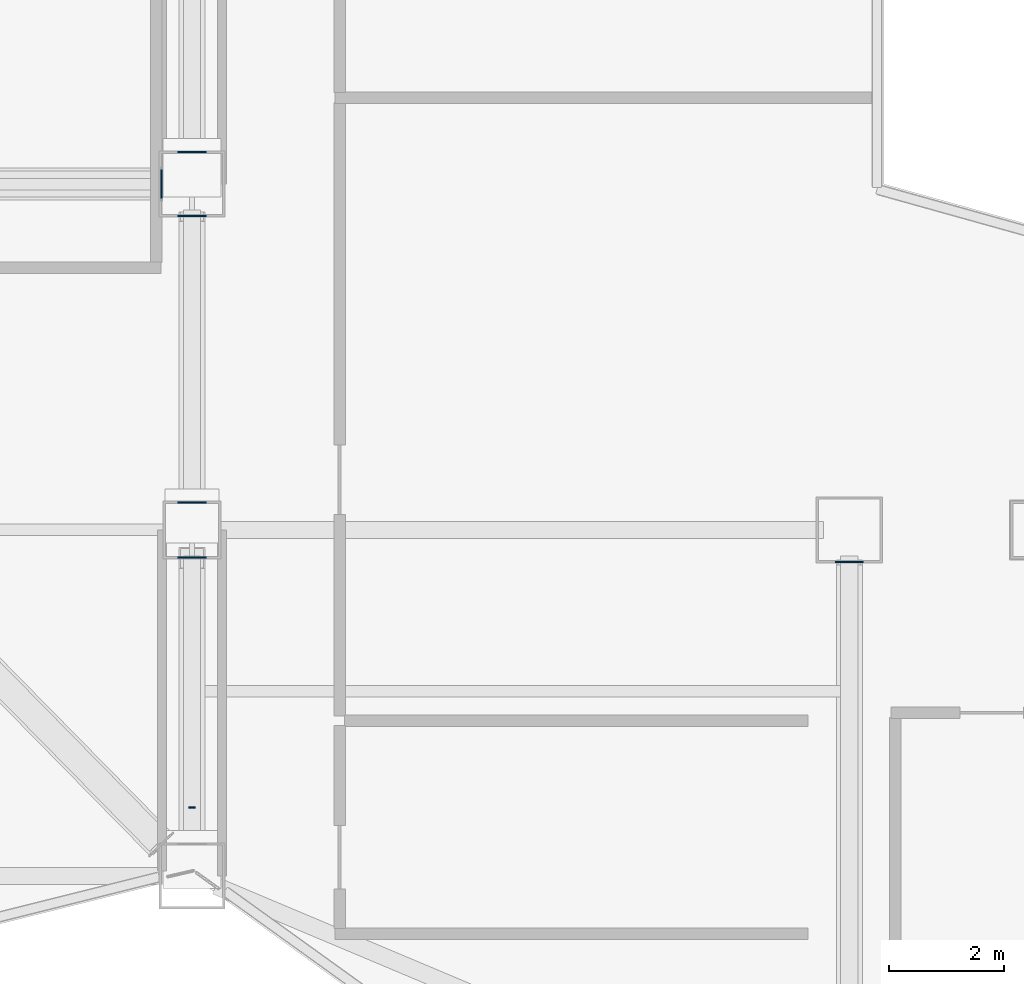
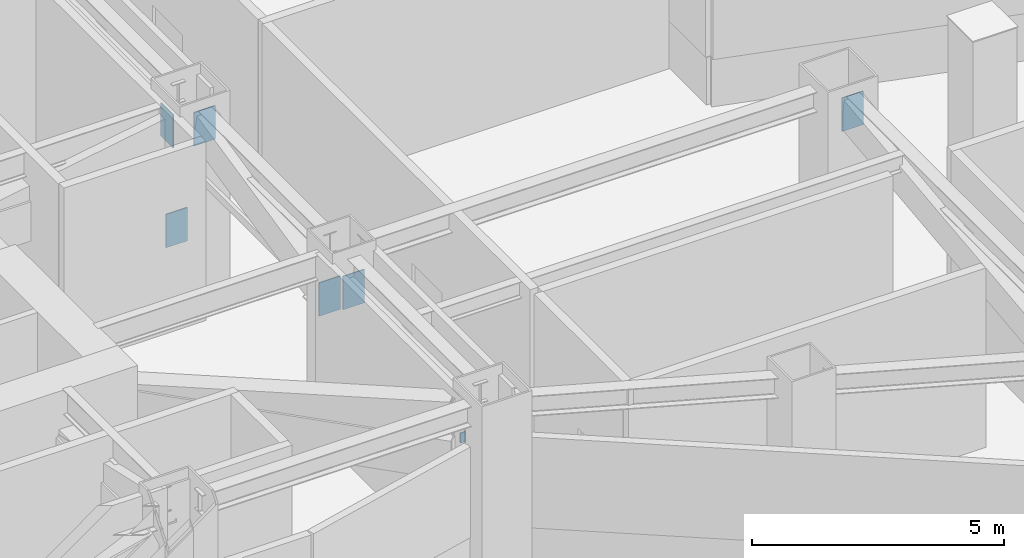
# One storey, part 10 of 23: 7 plates.
"""IFC4 building model written with IfcOpenShell, lengths in metres."""

from ifc_helpers import new_model, si_unit, direction, frame, origin, origin_2d, place, context, subcontext, project, spatial, rectangle, extrude, material, layer, layer_set, type_object, element, save


model = new_model("IFC4")

# Units and contexts
model_context = context("Model", 3, precision=1e-05, world=origin(), true_north=direction((0.0, 1.0)))
body_context = subcontext(model_context, "Body", "Model", "MODEL_VIEW")
ifc_project = project(units=[si_unit("LENGTHUNIT", "METRE"), si_unit("AREAUNIT", "SQUARE_METRE"), si_unit("VOLUMEUNIT", "CUBIC_METRE"), si_unit("PLANEANGLEUNIT", "RADIAN"), si_unit("MASSUNIT", "GRAM", prefix="KILO")], contexts=[model_context])

# Site, building, storey
site_placement = place(None, origin())
site = spatial("IfcSite", under=ifc_project, at=site_placement, CompositionType="ELEMENT")
building_placement = place(site_placement, origin())
building = spatial("IfcBuilding", under=site, at=building_placement, Name="Haolan Belvedere Tower", CompositionType="ELEMENT")
storey_placement = place(building_placement, frame((0.0, 0.0, 89.39990234375)))
storey = spatial("IfcBuildingStorey", under=building, at=storey_placement, Name="L22", CompositionType="ELEMENT", Elevation=89.39990234375)

# Plates
ifc_material = material(Name="Steel Q355B", Category="steel")
ifc_layer = layer(ifc_material, 0.02490234375, Name="Steel Q355B")
ifc_layer_set = layer_set([ifc_layer], Name="Steel Q355B")
plate_type = type_object("IfcPlateType", Name="PL-CAP-25", PredefinedType="SHEET", material=ifc_layer_set)
for number, where, z_axis, x_axis, name in (
    (1, (52.267333984375, 33.60009765625, 3.38720703125), (0.0, 0.0, 1.0), (0.0, 1.0, 0.0), "Hollow steel end-cap plate OR-E1-L22-DG-CAP1"),
    (2, (52.800048828125, 27.120849609375, 3.151123046875), (0.0, 0.0, 1.0), (-1.0, 0.0, 0.0), "Hollow steel end-cap plate BT-E1-L22-CAP1"),
    (3, (52.800048828125, 28.077880859375, 2.412353515625), (0.0, 0.0, 1.0), (1.0, 0.0, 0.0), "Hollow steel end-cap plate BT-E2-L22-CAP0"),
    (4, (52.800048828125, 33.047119140625, 3.52783203125), (0.0, 0.0, 1.0), (-1.0, 0.0, 0.0), "Hollow steel end-cap plate BT-E2-L22-CAP1"),
    (5, (52.800048828125, 34.154052734375, 0.388916015625), (0.0, 0.0, 1.0), (1.0, 0.0, 0.0), "Hollow steel end-cap plate BT-E3-L22-CAP0"),
    (6, (64.199951171875, 27.04736328125, 3.526611328125), (0.0, 0.0, 1.0), (-1.0, 0.0, 0.0), "Hollow steel end-cap plate BT-T4-L22-CAP1"),
):
    element("IfcPlate", number, at=place(storey_placement, frame(where, z_axis=z_axis, x_axis=x_axis)), inside=storey, type_object=plate_type, Name=name, PredefinedType="SHEET", context=body_context, shape_type="SweptSolid", body=[
        extrude(rectangle(XDim=0.489990234375, YDim=0.02490234375, at=origin_2d()), origin(), (0.0, 0.0, 1.0), 0.81005859375),
    ])
plate_placement = place(storey_placement, frame((52.800048828125, 22.78759765625, 2.47998046875), z_axis=(0.0, 0.0, 1.0), x_axis=(1.0, 0.0, 0.0)))
element("IfcPlate", 7, at=plate_placement, inside=storey, type_object=plate_type, Name="Hollow steel end-cap plate GIRT-L22-GE-CAP0", PredefinedType="SHEET", context=body_context, shape_type="SweptSolid", body=[
    extrude(rectangle(XDim=0.1201171875, YDim=0.02490234375, at=origin_2d()), origin(), (0.0, 0.0, 1.0), 0.239990234375),
])

save(model, "model.ifc")
